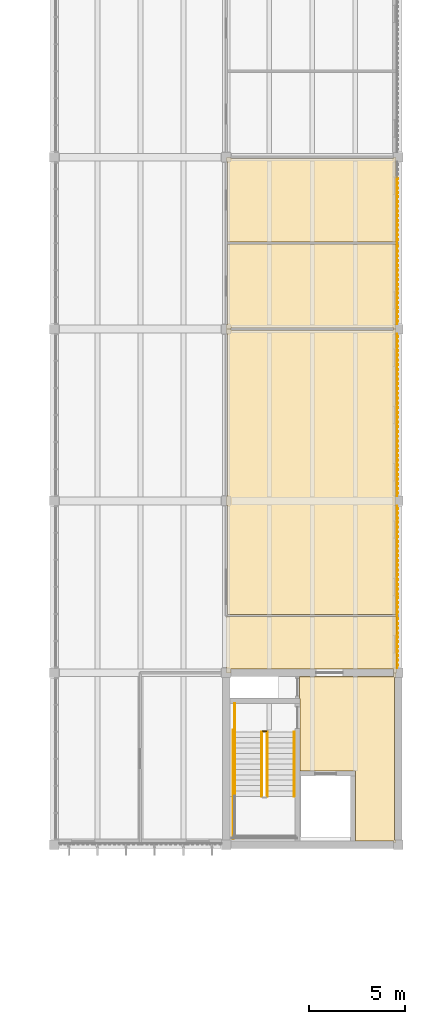
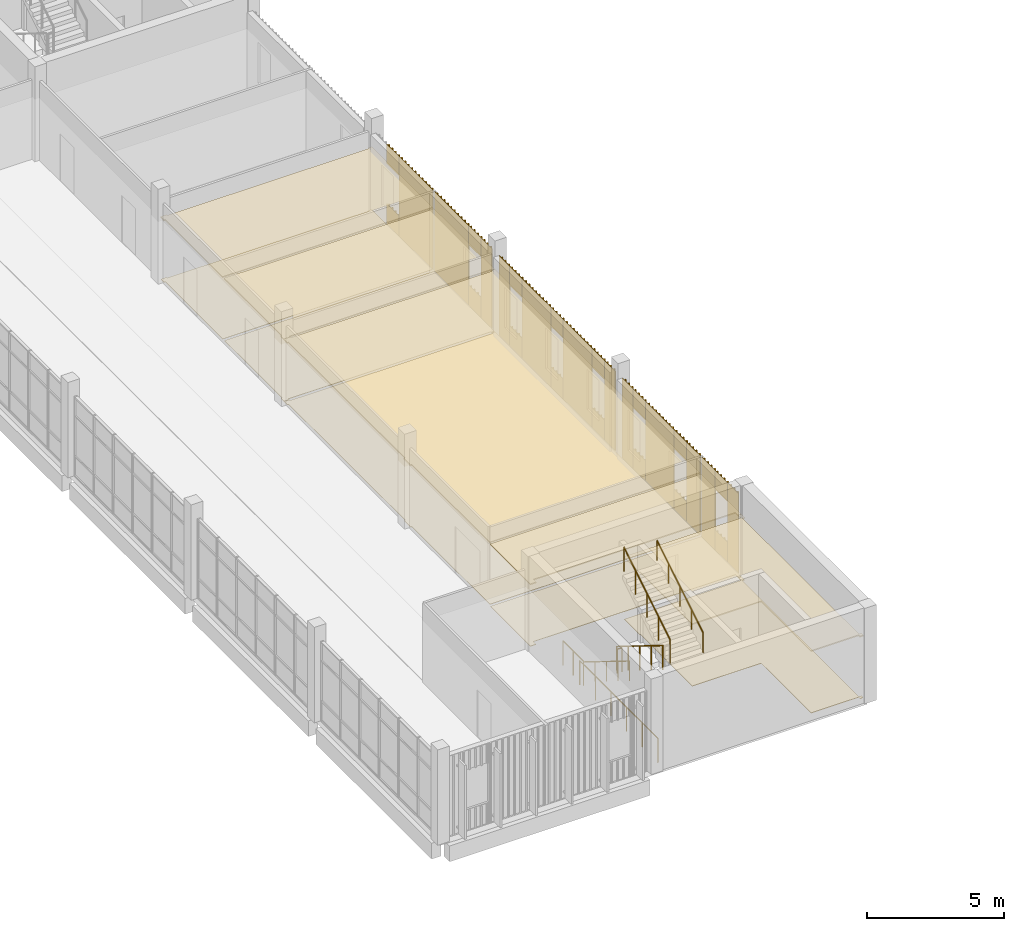
# One storey, part 84 of 92: 38 coverings, 7 railings.
"""IFC4 building model written with IfcOpenShell, lengths in metres."""

from ifc_helpers import new_model, si_unit, direction, frame, origin, origin_2d, place, context, subcontext, project, spatial, polyline, circle, outline, extrude, source, transform, mapped, material, layer, layer_set, type_object, element, save


model = new_model("IFC4")

# Units and contexts
model_context = context("Model", 3, precision=1e-05, world=origin(), true_north=direction((0.0, 1.0)))
body_context = subcontext(model_context, "Body", "Model", "MODEL_VIEW")
ifc_project = project(units=[si_unit("LENGTHUNIT", "METRE"), si_unit("AREAUNIT", "SQUARE_METRE"), si_unit("VOLUMEUNIT", "CUBIC_METRE"), si_unit("PLANEANGLEUNIT", "RADIAN"), si_unit("MASSUNIT", "GRAM", prefix="KILO")], contexts=[model_context])

# Site, building, storey
site_placement = place(None, origin())
site = spatial("IfcSite", under=ifc_project, at=site_placement, CompositionType="ELEMENT")
building_placement = place(site_placement, origin())
building = spatial("IfcBuilding", under=site, at=building_placement, Name="Merrow Basin Faculty of Sciences", CompositionType="ELEMENT")
storey_placement = place(building_placement, frame((0.0, 0.0, 4.5)))
storey = spatial("IfcBuildingStorey", under=building, at=storey_placement, Name="L01", CompositionType="ELEMENT", Elevation=4.5)

# Coverings
ifc_material_1 = material(Name="Carpet tile floor")
ifc_layer_1 = layer(ifc_material_1, 0.02001953125)
ifc_layer_set_1 = layer_set([ifc_layer_1], Name="Carpet tile floor")
covering_type_1 = type_object("IfcCoveringType", Name="Carpet tile floor", PredefinedType="FLOORING", material=ifc_layer_set_1)
covering_1_placement = place(storey_placement, origin())
element("IfcCovering", 1, at=covering_1_placement, inside=storey, type_object=covering_type_1, Name="Floor finish L01-C-026", PredefinedType="FLOORING", context=body_context, shape_type="SweptSolid", body=[
    extrude(outline(polyline([(63.010009765625, 79.239990234375), (63.06005859375, 79.239990234375), (63.06005859375, 87.760009765625), (63.010009765625, 87.760009765625), (63.010009765625, 87.989990234375), (63.239990234375, 87.989990234375), (63.239990234375, 87.93994140625), (71.760009765625, 87.93994140625), (71.760009765625, 87.989990234375), (71.889892578125, 87.989990234375), (71.889892578125, 73.06005859375), (63.06005859375, 73.06005859375), (63.06005859375, 78.760009765625), (63.010009765625, 78.760009765625), (63.010009765625, 79.239990234375)])), origin(), (0.0, 0.0, 1.0), 0.02001953125),
])
covering_2_placement = place(storey_placement, origin())
element("IfcCovering", 2, at=covering_2_placement, inside=storey, type_object=covering_type_1, Name="Floor finish L01-C-027", PredefinedType="FLOORING", context=body_context, shape_type="SweptSolid", body=[
    extrude(outline(polyline([(63.010009765625, 88.239990234375), (63.06005859375, 88.239990234375), (63.06005859375, 92.43994140625), (71.889892578125, 92.43994140625), (71.889892578125, 88.010009765625), (71.760009765625, 88.010009765625), (71.760009765625, 88.06005859375), (63.239990234375, 88.06005859375), (63.239990234375, 88.010009765625), (63.010009765625, 88.010009765625), (63.010009765625, 88.239990234375)])), origin(), (0.0, 0.0, 1.0), 0.02001953125),
])
covering_3_placement = place(storey_placement, origin())
element("IfcCovering", 3, at=covering_3_placement, inside=storey, type_object=covering_type_1, Name="Floor finish L01-C-028", PredefinedType="FLOORING", context=body_context, shape_type="SweptSolid", body=[
    extrude(outline(polyline([(63.010009765625, 96.989990234375), (63.239990234375, 96.989990234375), (63.239990234375, 96.93994140625), (71.760009765625, 96.93994140625), (71.760009765625, 96.989990234375), (71.889892578125, 96.989990234375), (71.889892578125, 92.56005859375), (63.06005859375, 92.56005859375), (63.06005859375, 96.760009765625), (63.010009765625, 96.760009765625), (63.010009765625, 96.989990234375)])), origin(), (0.0, 0.0, 1.0), 0.02001953125),
])
ifc_material_2 = material(Name="Polished terrazzo floor")
ifc_layer_2 = layer(ifc_material_2, 0.02001953125)
ifc_layer_set_2 = layer_set([ifc_layer_2], Name="Polished terrazzo floor")
covering_type_2 = type_object("IfcCoveringType", Name="Polished terrazzo floor", PredefinedType="FLOORING", material=ifc_layer_set_2)
covering_4_placement = place(storey_placement, origin())
element("IfcCovering", 4, at=covering_4_placement, inside=storey, type_object=covering_type_2, Name="Floor finish L01-C-003", PredefinedType="FLOORING", context=body_context, shape_type="SweptSolid", body=[
    extrude(outline(polyline([(71.889892578125, 69.989990234375), (71.889892578125, 69.760009765625), (71.7900390625, 69.760009765625), (71.7900390625, 61.239990234375), (71.889892578125, 61.239990234375), (71.889892578125, 61.110107421875), (71.760009765625, 61.110107421875), (71.760009765625, 61.2099609375), (69.760009765625, 61.2099609375), (69.760009765625, 64.860107421875), (66.860107421875, 64.860107421875), (66.860107421875, 68.659912109375), (66.8349609375, 68.659912109375), (66.8349609375, 69.7900390625), (71.760009765625, 69.7900390625), (71.760009765625, 69.989990234375), (71.889892578125, 69.989990234375)])), origin(), (0.0, 0.0, 1.0), 0.02001953125),
])
covering_5_placement = place(storey_placement, origin())
element("IfcCovering", 5, at=covering_5_placement, inside=storey, type_object=covering_type_2, Name="Floor finish L01-C-018", PredefinedType="FLOORING", context=body_context, shape_type="SweptSolid", body=[
    extrude(outline(polyline([(63.010009765625, 72.93994140625), (71.889892578125, 72.93994140625), (71.889892578125, 70.010009765625), (71.760009765625, 70.010009765625), (71.760009765625, 70.2099609375), (63.239990234375, 70.2099609375), (63.239990234375, 70.010009765625), (63.010009765625, 70.010009765625), (63.010009765625, 72.93994140625)])), origin(), (0.0, 0.0, 1.0), 0.02001953125),
])

# Railings
ifc_material_3 = material(Name="Steel ASTM A36", Category="steel")
railing_type_1 = type_object("IfcRailingType", Name="Steel guard 1100", PredefinedType="GUARDRAIL", material=ifc_material_3)
railing_1_placement = place(storey_placement, frame((64.85009765625, 66.89990234375, 0.173095703125)))
element("IfcRailing", 6, at=railing_1_placement, inside=storey, type_object=railing_type_1, Name="L01 ST-V2-S stair guard 1", PredefinedType="GUARDRAIL", context=body_context, shape_type="SweptSolid", body=[
    extrude(circle(Radius=0.02392578125, at=origin_2d()), frame((0.0, 0.0, 1.076171875), z_axis=(0.0, -0.850606129759, 0.525803396734), x_axis=(1.0, 0.0, 0.0)), (0.0, 0.0, 1.0), 3.949951171875),
    extrude(circle(Radius=0.02099609375, at=origin_2d()), origin(), (0.0, 0.0, 1.0), 1.052001953125),
    extrude(circle(Radius=0.02099609375, at=origin_2d()), frame((0.0, -0.83984375, 0.519287109375)), (0.0, 0.0, 1.0), 1.052001953125),
    extrude(circle(Radius=0.02099609375, at=origin_2d()), frame((0.0, -1.679931640625, 1.03857421875)), (0.0, 0.0, 1.0), 1.052001953125),
    extrude(circle(Radius=0.02099609375, at=origin_2d()), frame((0.0, -2.52001953125, 1.5576171875)), (0.0, 0.0, 1.0), 1.052001953125),
    extrude(circle(Radius=0.02099609375, at=origin_2d()), frame((0.0, -3.35986328125, 2.076904296875)), (0.0, 0.0, 1.0), 1.052001953125),
])
railing_2_placement = place(storey_placement, frame((65.14990234375, 63.5400390625, 2.423095703125)))
element("IfcRailing", 7, at=railing_2_placement, inside=storey, type_object=railing_type_1, Name="L01 ST-V2-S stair guard 5", PredefinedType="GUARDRAIL", context=body_context, shape_type="SweptSolid", body=[
    extrude(circle(Radius=0.02392578125, at=origin_2d()), frame((0.0, 0.0, 1.076171875), z_axis=(0.0, 0.850606129759, 0.525803396734), x_axis=(-1.0, 0.0, 0.0)), (0.0, 0.0, 1.0), 3.949951171875),
    extrude(circle(Radius=0.02099609375, at=origin_2d()), origin(), (0.0, 0.0, 1.0), 1.052001953125),
    extrude(circle(Radius=0.02099609375, at=origin_2d()), frame((0.0, 0.83984375, 0.519287109375)), (0.0, 0.0, 1.0), 1.052001953125),
    extrude(circle(Radius=0.02099609375, at=origin_2d()), frame((0.0, 1.679931640625, 1.03857421875)), (0.0, 0.0, 1.0), 1.052001953125),
    extrude(circle(Radius=0.02099609375, at=origin_2d()), frame((0.0, 2.52001953125, 1.5576171875)), (0.0, 0.0, 1.0), 1.052001953125),
    extrude(circle(Radius=0.02099609375, at=origin_2d()), frame((0.0, 3.35986328125, 2.076904296875)), (0.0, 0.0, 1.0), 1.052001953125),
])
railing_3_placement = place(storey_placement, frame((64.89990234375, 66.949951171875, 0.0)))
element("IfcRailing", 8, at=railing_3_placement, inside=storey, type_object=railing_type_1, Name="L01 ST-V2-S stair guard 6", PredefinedType="GUARDRAIL", context=body_context, shape_type="SweptSolid", body=[
    extrude(circle(Radius=0.02392578125, at=origin_2d()), frame((0.0, 0.0, 1.076171875), z_axis=(1.0, 0.0, 0.0), x_axis=(0.0, 1.0, 0.0)), (0.0, 0.0, 1.0), 0.2001953125),
    extrude(circle(Radius=0.02099609375, at=origin_2d()), origin(), (0.0, 0.0, 1.0), 1.052001953125),
    extrude(circle(Radius=0.02099609375, at=origin_2d()), frame((0.2001953125, 0.0, 0.0)), (0.0, 0.0, 1.0), 1.052001953125),
])
railing_4_placement = place(storey_placement, frame((63.449951171875, 68.39990234375, 0.0)))
element("IfcRailing", 9, at=railing_4_placement, inside=storey, type_object=railing_type_1, Name="L01 ST-V2-S stair guard 7", PredefinedType="GUARDRAIL", context=body_context, shape_type="SweptSolid", body=[
    extrude(circle(Radius=0.02392578125, at=origin_2d()), frame((0.0, 0.0, 1.076171875), z_axis=(0.0, -1.0, 0.0), x_axis=(1.0, 0.0, 0.0)), (0.0, 0.0, 1.0), 1.5),
    extrude(circle(Radius=0.02099609375, at=origin_2d()), origin(), (0.0, 0.0, 1.0), 1.052001953125),
    extrude(circle(Radius=0.02099609375, at=origin_2d()), frame((0.0, -0.75, 0.0)), (0.0, 0.0, 1.0), 1.052001953125),
    extrude(circle(Radius=0.02099609375, at=origin_2d()), frame((0.0, -1.5, 0.0)), (0.0, 0.0, 1.0), 1.052001953125),
])
railing_5_placement = place(storey_placement, frame((63.35009765625, 67.0, 0.0)))
element("IfcRailing", 10, at=railing_5_placement, inside=storey, type_object=railing_type_1, Name="L01 ST-V2-S stair guard 8", PredefinedType="GUARDRAIL", context=body_context, shape_type="SweptSolid", body=[
    extrude(circle(Radius=0.02392578125, at=origin_2d()), frame((0.0, 0.0, 1.076171875), z_axis=(0.0, -1.0, 0.0), x_axis=(1.0, 0.0, 0.0)), (0.0, 0.0, 1.0), 5.699951171875),
    extrude(circle(Radius=0.02099609375, at=origin_2d()), origin(), (0.0, 0.0, 1.0), 1.052001953125),
    extrude(circle(Radius=0.02099609375, at=origin_2d()), frame((0.0, -1.139892578125, 0.0)), (0.0, 0.0, 1.0), 1.052001953125),
    extrude(circle(Radius=0.02099609375, at=origin_2d()), frame((0.0, -2.280029296875, 0.0)), (0.0, 0.0, 1.0), 1.052001953125),
    extrude(circle(Radius=0.02099609375, at=origin_2d()), frame((0.0, -3.419921875, 0.0)), (0.0, 0.0, 1.0), 1.052001953125),
    extrude(circle(Radius=0.02099609375, at=origin_2d()), frame((0.0, -4.56005859375, 0.0)), (0.0, 0.0, 1.0), 1.052001953125),
    extrude(circle(Radius=0.02099609375, at=origin_2d()), frame((0.0, -5.699951171875, 0.0)), (0.0, 0.0, 1.0), 1.052001953125),
])
ifc_material_4 = material(Name="Steel ASTM A36", Category="steel")
railing_type_2 = type_object("IfcRailingType", Name="Steel handrail 900", PredefinedType="HANDRAIL", material=ifc_material_4)
railing_6_placement = place(storey_placement, frame((63.449951171875, 66.89990234375, 0.173095703125)))
element("IfcRailing", 11, at=railing_6_placement, inside=storey, type_object=railing_type_2, Name="L01 ST-V2-S stair handrail 1", PredefinedType="HANDRAIL", context=body_context, shape_type="SweptSolid", body=[
    extrude(circle(Radius=0.02392578125, at=origin_2d()), frame((0.0, 0.0, 0.8759765625), z_axis=(0.0, -0.850606129759, 0.525803396734), x_axis=(1.0, 0.0, 0.0)), (0.0, 0.0, 1.0), 3.949951171875),
    extrude(circle(Radius=0.02099609375, at=origin_2d()), origin(), (0.0, 0.0, 1.0), 0.851806640625),
    extrude(circle(Radius=0.02099609375, at=origin_2d()), frame((0.0, -0.83984375, 0.519287109375)), (0.0, 0.0, 1.0), 0.851806640625),
    extrude(circle(Radius=0.02099609375, at=origin_2d()), frame((0.0, -1.679931640625, 1.03857421875)), (0.0, 0.0, 1.0), 0.851806640625),
    extrude(circle(Radius=0.02099609375, at=origin_2d()), frame((0.0, -2.52001953125, 1.5576171875)), (0.0, 0.0, 1.0), 0.851806640625),
    extrude(circle(Radius=0.02099609375, at=origin_2d()), frame((0.0, -3.35986328125, 2.076904296875)), (0.0, 0.0, 1.0), 0.851806640625),
])
railing_7_placement = place(storey_placement, frame((66.550048828125, 63.5400390625, 2.423095703125)))
element("IfcRailing", 12, at=railing_7_placement, inside=storey, type_object=railing_type_2, Name="L01 ST-V2-S stair handrail 2", PredefinedType="HANDRAIL", context=body_context, shape_type="SweptSolid", body=[
    extrude(circle(Radius=0.02392578125, at=origin_2d()), frame((0.0, 0.0, 0.8759765625), z_axis=(0.0, 0.850606129759, 0.525803396734), x_axis=(-1.0, 0.0, 0.0)), (0.0, 0.0, 1.0), 3.949951171875),
    extrude(circle(Radius=0.02099609375, at=origin_2d()), origin(), (0.0, 0.0, 1.0), 0.851806640625),
    extrude(circle(Radius=0.02099609375, at=origin_2d()), frame((0.0, 0.83984375, 0.519287109375)), (0.0, 0.0, 1.0), 0.851806640625),
    extrude(circle(Radius=0.02099609375, at=origin_2d()), frame((0.0, 1.679931640625, 1.03857421875)), (0.0, 0.0, 1.0), 0.851806640625),
    extrude(circle(Radius=0.02099609375, at=origin_2d()), frame((0.0, 2.52001953125, 1.5576171875)), (0.0, 0.0, 1.0), 0.851806640625),
    extrude(circle(Radius=0.02099609375, at=origin_2d()), frame((0.0, 3.35986328125, 2.076904296875)), (0.0, 0.0, 1.0), 0.851806640625),
])

# Coverings
ifc_material_5 = material(Name="Mineral fibre ceiling tile")
ifc_layer_3 = layer(ifc_material_5, 0.050048828125)
ifc_layer_set_3 = layer_set([ifc_layer_3], Name="Suspended acoustic ceiling tile")
covering_type_3 = type_object("IfcCoveringType", Name="Suspended acoustic ceiling tile", PredefinedType="CEILING", material=ifc_layer_set_3)
covering_6_placement = place(storey_placement, frame((0.0, 0.0, 2.75)))
element("IfcCovering", 13, at=covering_6_placement, inside=storey, type_object=covering_type_3, Name="Ceiling L01-C-003", PredefinedType="CEILING", context=body_context, shape_type="SweptSolid", body=[
    extrude(outline(polyline([(71.89990234375, 70.0), (71.89990234375, 69.75), (71.800048828125, 69.75), (71.800048828125, 61.25), (71.89990234375, 61.25), (71.89990234375, 61.10009765625), (71.75, 61.10009765625), (71.75, 61.199951171875), (69.75, 61.199951171875), (69.75, 64.85009765625), (66.85009765625, 64.85009765625), (66.85009765625, 68.64990234375), (66.824951171875, 68.64990234375), (66.824951171875, 69.800048828125), (71.75, 69.800048828125), (71.75, 70.0), (71.89990234375, 70.0)])), origin(), (0.0, 0.0, 1.0), 0.050048828125),
])
covering_7_placement = place(storey_placement, frame((0.0, 0.0, 2.75)))
element("IfcCovering", 14, at=covering_7_placement, inside=storey, type_object=covering_type_3, Name="Ceiling L01-C-018", PredefinedType="CEILING", context=body_context, shape_type="SweptSolid", body=[
    extrude(outline(polyline([(63.0, 72.949951171875), (71.89990234375, 72.949951171875), (71.89990234375, 70.0), (71.75, 70.0), (71.75, 70.199951171875), (63.25, 70.199951171875), (63.25, 70.0), (63.0, 70.0), (63.0, 72.949951171875)])), origin(), (0.0, 0.0, 1.0), 0.050048828125),
])
covering_8_placement = place(storey_placement, frame((0.0, 0.0, 2.75)))
element("IfcCovering", 15, at=covering_8_placement, inside=storey, type_object=covering_type_3, Name="Ceiling L01-C-026", PredefinedType="CEILING", context=body_context, shape_type="SweptSolid", body=[
    extrude(outline(polyline([(63.0, 79.25), (63.050048828125, 79.25), (63.050048828125, 87.75), (63.0, 87.75), (63.0, 88.0), (63.25, 88.0), (63.25, 87.949951171875), (71.75, 87.949951171875), (71.75, 88.0), (71.89990234375, 88.0), (71.89990234375, 73.050048828125), (63.050048828125, 73.050048828125), (63.050048828125, 78.75), (63.0, 78.75), (63.0, 79.25)])), origin(), (0.0, 0.0, 1.0), 0.050048828125),
])
covering_9_placement = place(storey_placement, frame((0.0, 0.0, 2.75)))
element("IfcCovering", 16, at=covering_9_placement, inside=storey, type_object=covering_type_3, Name="Ceiling L01-C-027", PredefinedType="CEILING", context=body_context, shape_type="SweptSolid", body=[
    extrude(outline(polyline([(63.0, 88.25), (63.050048828125, 88.25), (63.050048828125, 92.449951171875), (71.89990234375, 92.449951171875), (71.89990234375, 88.0), (71.75, 88.0), (71.75, 88.050048828125), (63.25, 88.050048828125), (63.25, 88.0), (63.0, 88.0), (63.0, 88.25)])), origin(), (0.0, 0.0, 1.0), 0.050048828125),
])
covering_10_placement = place(storey_placement, frame((0.0, 0.0, 2.75)))
element("IfcCovering", 17, at=covering_10_placement, inside=storey, type_object=covering_type_3, Name="Ceiling L01-C-028", PredefinedType="CEILING", context=body_context, shape_type="SweptSolid", body=[
    extrude(outline(polyline([(63.0, 97.0), (63.25, 97.0), (63.25, 96.949951171875), (71.75, 96.949951171875), (71.75, 97.0), (71.89990234375, 97.0), (71.89990234375, 92.550048828125), (63.050048828125, 92.550048828125), (63.050048828125, 96.75), (63.0, 96.75), (63.0, 97.0)])), origin(), (0.0, 0.0, 1.0), 0.050048828125),
])
ifc_material_6 = material(Name="Larch timber", Category="wood")
ifc_layer_4 = layer(ifc_material_6, 0.0849609375)
ifc_layer_set_4 = layer_set([ifc_layer_4], Name="Larch batten cladding 85")
covering_type_4 = type_object("IfcCoveringType", Name="Larch batten cladding 85", PredefinedType="CLADDING", material=ifc_layer_set_4)
shared_shape_1 = source(origin(), body_context, "Body", "SweptSolid", [
    extrude(outline(polyline([(0.0, 0.0), (0.89990234375, 0.0), (0.89990234375, 0.02490234375), (0.85009765625, 0.02490234375), (0.85009765625, 0.0849609375), (0.800048828125, 0.0849609375), (0.800048828125, 0.02490234375), (0.60009765625, 0.02490234375), (0.60009765625, 0.0849609375), (0.550048828125, 0.0849609375), (0.550048828125, 0.02490234375), (0.35009765625, 0.02490234375), (0.35009765625, 0.0849609375), (0.300048828125, 0.0849609375), (0.300048828125, 0.02490234375), (0.10009765625, 0.02490234375), (0.10009765625, 0.0849609375), (0.050048828125, 0.0849609375), (0.050048828125, 0.02490234375), (0.0, 0.02490234375), (0.0, 0.0)])), origin(), (0.0, 0.0, 1.0), 0.85009765625),
])
for number, where, z_axis, x_axis, name in (
    (18, (71.916015625, 71.949951171875, 2.699951171875), (0.0, 0.0, 1.0), (0.0, -1.0, 0.0), "Larch batten cladding"),
    (19, (71.916015625, 77.949951171875, 2.699951171875), (0.0, 0.0, 1.0), (0.0, -1.0, 0.0), "Larch batten cladding"),
    (20, (71.916015625, 74.949951171875, 2.699951171875), (0.0, 0.0, 1.0), (0.0, -1.0, 0.0), "Larch batten cladding"),
    (21, (71.916015625, 86.949951171875, 2.699951171875), (0.0, 0.0, 1.0), (0.0, -1.0, 0.0), "Larch batten cladding"),
    (22, (71.916015625, 83.949951171875, 2.699951171875), (0.0, 0.0, 1.0), (0.0, -1.0, 0.0), "Larch batten cladding"),
    (23, (71.916015625, 80.949951171875, 2.699951171875), (0.0, 0.0, 1.0), (0.0, -1.0, 0.0), "Larch batten cladding"),
    (24, (71.916015625, 89.949951171875, 2.699951171875), (0.0, 0.0, 1.0), (0.0, -1.0, 0.0), "Larch batten cladding"),
    (25, (71.916015625, 95.949951171875, 2.699951171875), (0.0, 0.0, 1.0), (0.0, -1.0, 0.0), "Larch batten cladding"),
):
    element("IfcCovering", number, at=place(storey_placement, frame(where, z_axis=z_axis, x_axis=x_axis)), inside=storey, type_object=covering_type_4, Name=name, PredefinedType="CLADDING", context=body_context, shape_type="MappedRepresentation", body=[
        mapped(shared_shape_1, transform((0.0, 0.0, 0.0), scale=1.0)),
    ])
shared_shape_2 = source(origin(), body_context, "Body", "SweptSolid", [
    extrude(outline(polyline([(0.0, 0.0), (1.0, 0.0), (1.0, 0.02490234375), (0.89990234375, 0.02490234375), (0.89990234375, 0.0849609375), (0.85009765625, 0.0849609375), (0.85009765625, 0.02490234375), (0.64990234375, 0.02490234375), (0.64990234375, 0.0849609375), (0.60009765625, 0.0849609375), (0.60009765625, 0.02490234375), (0.39990234375, 0.02490234375), (0.39990234375, 0.0849609375), (0.35009765625, 0.0849609375), (0.35009765625, 0.02490234375), (0.14990234375, 0.02490234375), (0.14990234375, 0.0849609375), (0.10009765625, 0.0849609375), (0.10009765625, 0.02490234375), (0.0, 0.02490234375), (0.0, 0.0)])), origin(), (0.0, 0.0, 1.0), 3.550048828125),
])
for number, where, z_axis, x_axis, name in (
    (26, (71.916015625, 72.949951171875, 0.0), (0.0, 0.0, 1.0), (0.0, -1.0, 0.0), "Larch batten cladding"),
    (27, (71.916015625, 74.050048828125, 0.0), (0.0, 0.0, 1.0), (0.0, -1.0, 0.0), "Larch batten cladding"),
):
    element("IfcCovering", number, at=place(storey_placement, frame(where, z_axis=z_axis, x_axis=x_axis)), inside=storey, type_object=covering_type_4, Name=name, PredefinedType="CLADDING", context=body_context, shape_type="MappedRepresentation", body=[
        mapped(shared_shape_2, transform((0.0, 0.0, 0.0), scale=1.0)),
    ])
shared_shape_3 = source(origin(), body_context, "Body", "SweptSolid", [
    extrude(outline(polyline([(0.0, 0.0), (0.89990234375, 0.0), (0.89990234375, 0.02490234375), (0.85009765625, 0.02490234375), (0.85009765625, 0.0849609375), (0.800048828125, 0.0849609375), (0.800048828125, 0.02490234375), (0.60009765625, 0.02490234375), (0.60009765625, 0.0849609375), (0.550048828125, 0.0849609375), (0.550048828125, 0.02490234375), (0.35009765625, 0.02490234375), (0.35009765625, 0.0849609375), (0.300048828125, 0.0849609375), (0.300048828125, 0.02490234375), (0.10009765625, 0.02490234375), (0.10009765625, 0.0849609375), (0.050048828125, 0.0849609375), (0.050048828125, 0.02490234375), (0.0, 0.02490234375), (0.0, 0.0)])), origin(), (0.0, 0.0, 1.0), 0.89990234375),
])
for number, where, z_axis, x_axis, name in (
    (28, (71.916015625, 71.949951171875, 0.0), (0.0, 0.0, 1.0), (0.0, -1.0, 0.0), "Larch batten cladding"),
    (29, (71.916015625, 77.949951171875, 0.0), (0.0, 0.0, 1.0), (0.0, -1.0, 0.0), "Larch batten cladding"),
    (30, (71.916015625, 74.949951171875, 0.0), (0.0, 0.0, 1.0), (0.0, -1.0, 0.0), "Larch batten cladding"),
    (31, (71.916015625, 86.949951171875, 0.0), (0.0, 0.0, 1.0), (0.0, -1.0, 0.0), "Larch batten cladding"),
    (32, (71.916015625, 83.949951171875, 0.0), (0.0, 0.0, 1.0), (0.0, -1.0, 0.0), "Larch batten cladding"),
    (33, (71.916015625, 80.949951171875, 0.0), (0.0, 0.0, 1.0), (0.0, -1.0, 0.0), "Larch batten cladding"),
    (34, (71.916015625, 89.949951171875, 0.0), (0.0, 0.0, 1.0), (0.0, -1.0, 0.0), "Larch batten cladding"),
    (35, (71.916015625, 95.949951171875, 0.0), (0.0, 0.0, 1.0), (0.0, -1.0, 0.0), "Larch batten cladding"),
):
    element("IfcCovering", number, at=place(storey_placement, frame(where, z_axis=z_axis, x_axis=x_axis)), inside=storey, type_object=covering_type_4, Name=name, PredefinedType="CLADDING", context=body_context, shape_type="MappedRepresentation", body=[
        mapped(shared_shape_3, transform((0.0, 0.0, 0.0), scale=1.0)),
    ])
shared_shape_4 = source(origin(), body_context, "Body", "SweptSolid", [
    extrude(outline(polyline([(0.0, 0.0), (0.800048828125, 0.0), (0.800048828125, 0.02490234375), (0.675048828125, 0.02490234375), (0.675048828125, 0.0849609375), (0.625, 0.0849609375), (0.625, 0.02490234375), (0.425048828125, 0.02490234375), (0.425048828125, 0.0849609375), (0.375, 0.0849609375), (0.375, 0.02490234375), (0.175048828125, 0.02490234375), (0.175048828125, 0.0849609375), (0.125, 0.0849609375), (0.125, 0.02490234375), (0.0, 0.02490234375), (0.0, 0.0)])), origin(), (0.0, 0.0, 1.0), 3.550048828125),
])
for number, where, z_axis, x_axis, name in (
    (36, (71.916015625, 71.050048828125, 0.0), (0.0, 0.0, 1.0), (0.0, -1.0, 0.0), "Larch batten cladding"),
    (37, (71.916015625, 78.75, 0.0), (0.0, 0.0, 1.0), (0.0, -1.0, 0.0), "Larch batten cladding"),
    (38, (71.916015625, 87.75, 0.0), (0.0, 0.0, 1.0), (0.0, -1.0, 0.0), "Larch batten cladding"),
    (39, (71.916015625, 80.050048828125, 0.0), (0.0, 0.0, 1.0), (0.0, -1.0, 0.0), "Larch batten cladding"),
    (40, (71.916015625, 89.050048828125, 0.0), (0.0, 0.0, 1.0), (0.0, -1.0, 0.0), "Larch batten cladding"),
):
    element("IfcCovering", number, at=place(storey_placement, frame(where, z_axis=z_axis, x_axis=x_axis)), inside=storey, type_object=covering_type_4, Name=name, PredefinedType="CLADDING", context=body_context, shape_type="MappedRepresentation", body=[
        mapped(shared_shape_4, transform((0.0, 0.0, 0.0), scale=1.0)),
    ])
shared_shape_5 = source(origin(), body_context, "Body", "SweptSolid", [
    extrude(outline(polyline([(0.0, 0.0), (2.10009765625, 0.0), (2.10009765625, 0.02490234375), (1.949951171875, 0.02490234375), (1.949951171875, 0.0849609375), (1.89990234375, 0.0849609375), (1.89990234375, 0.02490234375), (1.699951171875, 0.02490234375), (1.699951171875, 0.0849609375), (1.64990234375, 0.0849609375), (1.64990234375, 0.02490234375), (1.449951171875, 0.02490234375), (1.449951171875, 0.0849609375), (1.39990234375, 0.0849609375), (1.39990234375, 0.02490234375), (1.199951171875, 0.02490234375), (1.199951171875, 0.0849609375), (1.14990234375, 0.0849609375), (1.14990234375, 0.02490234375), (0.949951171875, 0.02490234375), (0.949951171875, 0.0849609375), (0.89990234375, 0.0849609375), (0.89990234375, 0.02490234375), (0.699951171875, 0.02490234375), (0.699951171875, 0.0849609375), (0.64990234375, 0.0849609375), (0.64990234375, 0.02490234375), (0.449951171875, 0.02490234375), (0.449951171875, 0.0849609375), (0.39990234375, 0.0849609375), (0.39990234375, 0.02490234375), (0.199951171875, 0.02490234375), (0.199951171875, 0.0849609375), (0.14990234375, 0.0849609375), (0.14990234375, 0.02490234375), (0.0, 0.02490234375), (0.0, 0.0)])), origin(), (0.0, 0.0, 1.0), 3.550048828125),
])
for number, where, z_axis, x_axis, name in (
    (41, (71.916015625, 77.050048828125, 0.0), (0.0, 0.0, 1.0), (0.0, -1.0, 0.0), "Larch batten cladding"),
    (42, (71.916015625, 86.050048828125, 0.0), (0.0, 0.0, 1.0), (0.0, -1.0, 0.0), "Larch batten cladding"),
    (43, (71.916015625, 83.050048828125, 0.0), (0.0, 0.0, 1.0), (0.0, -1.0, 0.0), "Larch batten cladding"),
):
    element("IfcCovering", number, at=place(storey_placement, frame(where, z_axis=z_axis, x_axis=x_axis)), inside=storey, type_object=covering_type_4, Name=name, PredefinedType="CLADDING", context=body_context, shape_type="MappedRepresentation", body=[
        mapped(shared_shape_5, transform((0.0, 0.0, 0.0), scale=1.0)),
    ])
shared_shape_6 = source(origin(), body_context, "Body", "SweptSolid", [
    extrude(outline(polyline([(0.0, 0.0), (2.5, 0.0), (2.5, 0.02490234375), (2.39990234375, 0.02490234375), (2.39990234375, 0.0849609375), (2.35009765625, 0.0849609375), (2.35009765625, 0.02490234375), (2.14990234375, 0.02490234375), (2.14990234375, 0.0849609375), (2.10009765625, 0.0849609375), (2.10009765625, 0.02490234375), (1.89990234375, 0.02490234375), (1.89990234375, 0.0849609375), (1.85009765625, 0.0849609375), (1.85009765625, 0.02490234375), (1.64990234375, 0.02490234375), (1.64990234375, 0.0849609375), (1.60009765625, 0.0849609375), (1.60009765625, 0.02490234375), (1.39990234375, 0.02490234375), (1.39990234375, 0.0849609375), (1.35009765625, 0.0849609375), (1.35009765625, 0.02490234375), (1.14990234375, 0.02490234375), (1.14990234375, 0.0849609375), (1.10009765625, 0.0849609375), (1.10009765625, 0.02490234375), (0.89990234375, 0.02490234375), (0.89990234375, 0.0849609375), (0.85009765625, 0.0849609375), (0.85009765625, 0.02490234375), (0.64990234375, 0.02490234375), (0.64990234375, 0.0849609375), (0.60009765625, 0.0849609375), (0.60009765625, 0.02490234375), (0.39990234375, 0.02490234375), (0.39990234375, 0.0849609375), (0.35009765625, 0.0849609375), (0.35009765625, 0.02490234375), (0.14990234375, 0.02490234375), (0.14990234375, 0.0849609375), (0.10009765625, 0.0849609375), (0.10009765625, 0.02490234375), (0.0, 0.02490234375), (0.0, 0.0)])), origin(), (0.0, 0.0, 1.0), 3.550048828125),
])
for number, where, z_axis, x_axis, name in (
    (44, (71.916015625, 92.449951171875, 0.0), (0.0, 0.0, 1.0), (0.0, -1.0, 0.0), "Larch batten cladding"),
    (45, (71.916015625, 95.050048828125, 0.0), (0.0, 0.0, 1.0), (0.0, -1.0, 0.0), "Larch batten cladding"),
):
    element("IfcCovering", number, at=place(storey_placement, frame(where, z_axis=z_axis, x_axis=x_axis)), inside=storey, type_object=covering_type_4, Name=name, PredefinedType="CLADDING", context=body_context, shape_type="MappedRepresentation", body=[
        mapped(shared_shape_6, transform((0.0, 0.0, 0.0), scale=1.0)),
    ])

save(model, "model.ifc")
